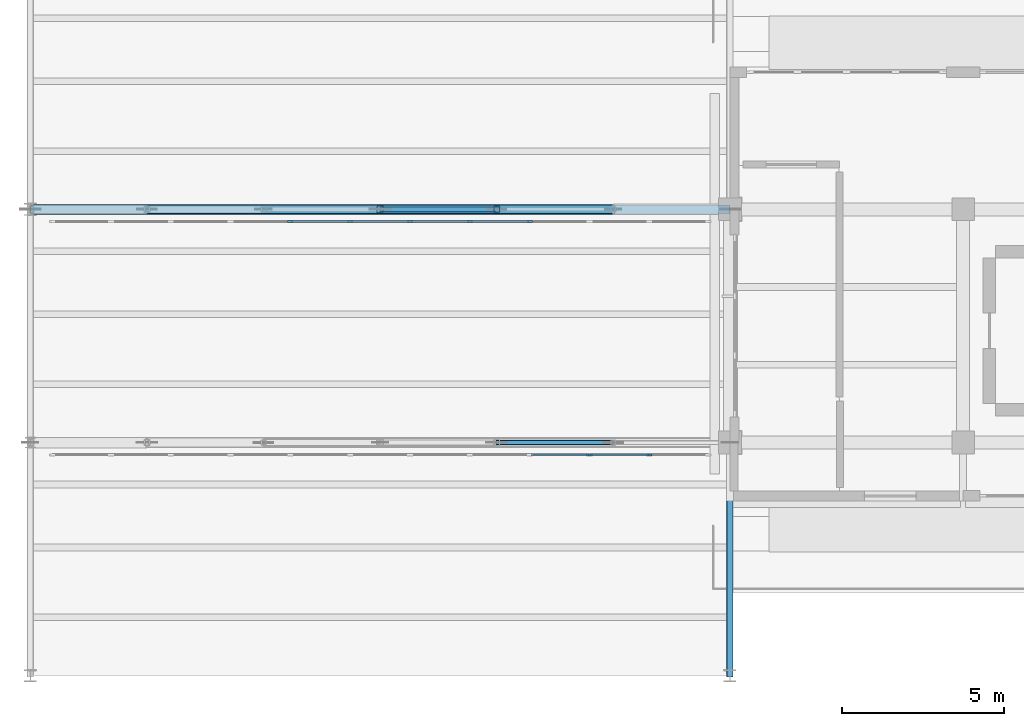
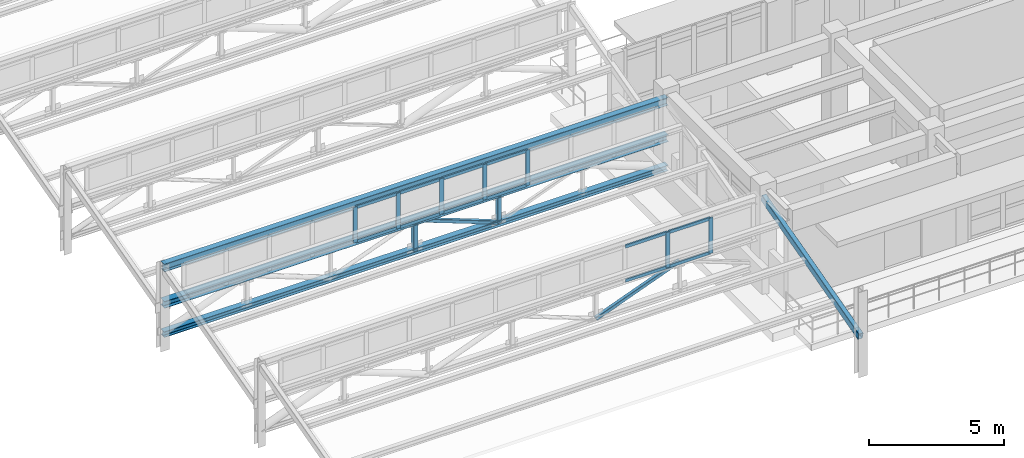
# One storey, part 6 of 55: 25 members, 2 beams, 2 elements without a shape of their own.
"""IFC4 building model written with IfcOpenShell, lengths in metres."""

from ifc_helpers import new_model, si_unit, direction, frame, origin, origin_2d, place, context, subcontext, project, spatial, rectangle, hollow_rectangle, i_section, extrude, material, layer, layer_set, material_profile, profile_set, type_object, element, aggregate, save


model = new_model("IFC4")

# Units and contexts
model_context = context("Model", 3, precision=1e-05, world=origin(), true_north=direction((0.0, 1.0)))
body_context = subcontext(model_context, "Body", "Model", "MODEL_VIEW")
ifc_project = project(units=[si_unit("LENGTHUNIT", "METRE"), si_unit("AREAUNIT", "SQUARE_METRE"), si_unit("VOLUMEUNIT", "CUBIC_METRE"), si_unit("PLANEANGLEUNIT", "RADIAN"), si_unit("MASSUNIT", "GRAM", prefix="KILO")], contexts=[model_context])

# Site, building, storey
site_placement = place(None, origin())
site = spatial("IfcSite", under=ifc_project, at=site_placement, CompositionType="ELEMENT")
building_placement = place(site_placement, origin())
building = spatial("IfcBuilding", under=site, at=building_placement, Name="Solenvale Faculty of Natural Sciences", CompositionType="ELEMENT")
storey_placement = place(building_placement, frame((0.0, 0.0, 22.5)))
storey = spatial("IfcBuildingStorey", under=building, at=storey_placement, Name="L05", CompositionType="ELEMENT", Elevation=22.5)

# Beams
ifc_material_1 = material(Name="Steel S355", Category="steel")
ifc_material_profile_1 = material_profile(ifc_material_1, hollow_rectangle(XDim=0.202880859375, YDim=0.304931640625, WallThickness=0.0126953125, InnerFilletRadius=0.0126953125, OuterFilletRadius=0.025390625, at=origin_2d()), Name="HSS305x203x13")
ifc_profile_set_1 = profile_set([ifc_material_profile_1], Name="Steel S355")
beam_type_1 = type_object("IfcBeamType", Name="BM-RAF-HSS305", PredefinedType="BEAM", material=ifc_profile_set_1)
beam_1_placement = place(storey_placement, frame((57.60009765625, 14.39990234375, 1.719970703125), z_axis=(0.0, 0.965904187204, 0.258899789768), x_axis=(-1.0, 0.0, 0.0)))
element("IfcBeam", 1, at=beam_1_placement, inside=storey, type_object=beam_type_1, Name="V3 Sawtooth End Rafter 1.1.E", PredefinedType="BEAM", context=body_context, shape_type="SweptSolid", body=[
    extrude(hollow_rectangle(XDim=0.202880859375, YDim=0.304931640625, WallThickness=0.0126953125, InnerFilletRadius=0.0126953125, OuterFilletRadius=0.025390625, at=origin_2d()), origin(), (0.0, 0.0, 1.0), 7.454345703125),
])
ifc_material_profile_2 = material_profile(ifc_material_1, i_section(OverallWidth=0.2548828125, OverallDepth=0.35693359375, WebThickness=0.010498046875, FlangeThickness=0.018310546875, FilletRadius=0.014892578125, at=origin_2d()), Name="W360x101")
ifc_profile_set_2 = profile_set([ifc_material_profile_2], Name="Steel S355")
beam_type_2 = type_object("IfcBeamType", Name="BM-STL-W360x101", PredefinedType="JOIST", material=ifc_profile_set_2)
beam_2_placement = place(storey_placement, frame((36.0, 28.800048828125, 3.705078125), z_axis=(1.0, 0.0, 0.0), x_axis=(0.0, 1.0, 0.0)))
element("IfcBeam", 2, at=beam_2_placement, inside=storey, type_object=beam_type_2, Name="V3 Sawtooth Clerestory Ridge Beam 2.1", PredefinedType="JOIST", context=body_context, shape_type="SweptSolid", body=[
    extrude(i_section(OverallWidth=0.2548828125, OverallDepth=0.35693359375, WebThickness=0.010498046875, FlangeThickness=0.018310546875, FilletRadius=0.014892578125, at=origin_2d()), origin(), (0.0, 0.0, 1.0), 21.60009765625),
])

# Curtain wall, members
ifc_material_2 = material(Name="Anodised bronze aluminium", Category="aluminium")
ifc_layer = layer(ifc_material_2, 0.1650390625)
ifc_layer_set = layer_set([ifc_layer], Name="Anodised bronze aluminium")
curtain_wall_type = type_object("IfcCurtainWallType", Name="CW-SAW-CLR", PredefinedType="USERDEFINED", material=ifc_layer_set)
curtain_wall_1_placement = place(storey_placement, origin())
curtain_wall_1 = element("IfcCurtainWall", 3, at=curtain_wall_1_placement, inside=storey, type_object=curtain_wall_type, Name="L05 Curtain Wall SAW-V3-CW-1-1", ObjectType="NORTH LIGHT CLERESTORY", PredefinedType="USERDEFINED")
ifc_material_profile_3 = material_profile(ifc_material_2, rectangle(XDim=0.06494140625, YDim=0.175048828125, at=origin_2d()), Name="ALU-MUL-65x175")
ifc_profile_set_3 = profile_set([ifc_material_profile_3], Name="Anodised bronze aluminium")
member_type_1 = type_object("IfcMemberType", Name="CWM-ALU-65x175", PredefinedType="MULLION", material=ifc_profile_set_3)
member_1_placement = place(storey_placement, frame((55.11279296875, 21.219970703125, 2.22998046875), z_axis=(0.0, 0.0, 1.0), x_axis=(0.0, -1.0, 0.0)))
member_1 = element("IfcMember", 4, at=member_1_placement, type_object=member_type_1, Name="CW-05 mullion 2", PredefinedType="MULLION", context=body_context, shape_type="SweptSolid", body=[
    extrude(rectangle(XDim=0.06494140625, YDim=0.175048828125, at=origin_2d()), origin(), (0.0, 0.0, 1.0), 1.610107421875),
])
member_2_placement = place(storey_placement, frame((53.265380859375, 21.219970703125, 2.22998046875), z_axis=(0.0, 0.0, 1.0), x_axis=(0.0, -1.0, 0.0)))
member_2 = element("IfcMember", 5, at=member_2_placement, type_object=member_type_1, Name="CW-05 mullion 3", PredefinedType="MULLION", context=body_context, shape_type="SweptSolid", body=[
    extrude(rectangle(XDim=0.06494140625, YDim=0.175048828125, at=origin_2d()), origin(), (0.0, 0.0, 1.0), 1.610107421875),
])

curtain_wall_2_placement = place(storey_placement, origin())
curtain_wall_2 = element("IfcCurtainWall", 6, at=curtain_wall_2_placement, inside=storey, type_object=curtain_wall_type, Name="L05 Curtain Wall SAW-V3-CW-2-1", ObjectType="NORTH LIGHT CLERESTORY", PredefinedType="USERDEFINED")
member_3_placement = place(storey_placement, frame((51.418212890625, 28.419921875, 2.22998046875), z_axis=(0.0, 0.0, 1.0), x_axis=(0.0, -1.0, 0.0)))
member_3 = element("IfcMember", 7, at=member_3_placement, type_object=member_type_1, Name="CW-05 mullion 4", PredefinedType="MULLION", context=body_context, shape_type="SweptSolid", body=[
    extrude(rectangle(XDim=0.06494140625, YDim=0.175048828125, at=origin_2d()), origin(), (0.0, 0.0, 1.0), 1.610107421875),
])
member_4_placement = place(storey_placement, frame((49.57080078125, 28.419921875, 2.22998046875), z_axis=(0.0, 0.0, 1.0), x_axis=(0.0, -1.0, 0.0)))
member_4 = element("IfcMember", 8, at=member_4_placement, type_object=member_type_1, Name="CW-05 mullion 5", PredefinedType="MULLION", context=body_context, shape_type="SweptSolid", body=[
    extrude(rectangle(XDim=0.06494140625, YDim=0.175048828125, at=origin_2d()), origin(), (0.0, 0.0, 1.0), 1.610107421875),
])
member_5_placement = place(storey_placement, frame((47.7236328125, 28.419921875, 2.22998046875), z_axis=(0.0, 0.0, 1.0), x_axis=(0.0, -1.0, 0.0)))
member_5 = element("IfcMember", 9, at=member_5_placement, type_object=member_type_1, Name="CW-05 mullion 6", PredefinedType="MULLION", context=body_context, shape_type="SweptSolid", body=[
    extrude(rectangle(XDim=0.06494140625, YDim=0.175048828125, at=origin_2d()), origin(), (0.0, 0.0, 1.0), 1.610107421875),
])
member_6_placement = place(storey_placement, frame((45.87646484375, 28.419921875, 2.22998046875), z_axis=(0.0, 0.0, 1.0), x_axis=(0.0, -1.0, 0.0)))
member_6 = element("IfcMember", 10, at=member_6_placement, type_object=member_type_1, Name="CW-05 mullion 7", PredefinedType="MULLION", context=body_context, shape_type="SweptSolid", body=[
    extrude(rectangle(XDim=0.06494140625, YDim=0.175048828125, at=origin_2d()), origin(), (0.0, 0.0, 1.0), 1.610107421875),
])
member_7_placement = place(storey_placement, frame((44.029052734375, 28.419921875, 2.22998046875), z_axis=(0.0, 0.0, 1.0), x_axis=(0.0, -1.0, 0.0)))
member_7 = element("IfcMember", 11, at=member_7_placement, type_object=member_type_1, Name="CW-05 mullion 8", PredefinedType="MULLION", context=body_context, shape_type="SweptSolid", body=[
    extrude(rectangle(XDim=0.06494140625, YDim=0.175048828125, at=origin_2d()), origin(), (0.0, 0.0, 1.0), 1.610107421875),
])

# Member
ifc_material_profile_4 = material_profile(ifc_material_2, rectangle(XDim=0.06494140625, YDim=0.135009765625, at=origin_2d()), Name="ALU-TRN-65x135")
ifc_profile_set_4 = profile_set([ifc_material_profile_4], Name="Anodised bronze aluminium")
member_type_2 = type_object("IfcMemberType", Name="CWT-ALU-65x135", PredefinedType="USERDEFINED", material=ifc_profile_set_4)
member_8_placement = place(storey_placement, frame((55.080322265625, 21.219970703125, 2.262451171875), z_axis=(-1.0, 0.0, 0.0), x_axis=(0.0, -1.0, 0.0)))
member_8 = element("IfcMember", 12, at=member_8_placement, type_object=member_type_2, Name="CW-05 transom 2.1", ObjectType="TRANSOM", PredefinedType="USERDEFINED", context=body_context, shape_type="SweptSolid", body=[
    extrude(rectangle(XDim=0.06494140625, YDim=0.135009765625, at=origin_2d()), origin(), (0.0, 0.0, 1.0), 1.782470703125),
])

member_9_placement = place(storey_placement, frame((55.080322265625, 21.219970703125, 3.8076171875), z_axis=(-1.0, 0.0, 0.0), x_axis=(0.0, -1.0, 0.0)))
member_9 = element("IfcMember", 13, at=member_9_placement, type_object=member_type_2, Name="CW-05 transom 2.2", ObjectType="TRANSOM", PredefinedType="USERDEFINED", context=body_context, shape_type="SweptSolid", body=[
    extrude(rectangle(XDim=0.06494140625, YDim=0.135009765625, at=origin_2d()), origin(), (0.0, 0.0, 1.0), 1.782470703125),
])

member_10_placement = place(storey_placement, frame((53.23291015625, 21.219970703125, 2.262451171875), z_axis=(-1.0, 0.0, 0.0), x_axis=(0.0, -1.0, 0.0)))
member_10 = element("IfcMember", 14, at=member_10_placement, type_object=member_type_2, Name="CW-05 transom 3.1", ObjectType="TRANSOM", PredefinedType="USERDEFINED", context=body_context, shape_type="SweptSolid", body=[
    extrude(rectangle(XDim=0.06494140625, YDim=0.135009765625, at=origin_2d()), origin(), (0.0, 0.0, 1.0), 1.7822265625),
])

member_11_placement = place(storey_placement, frame((53.23291015625, 21.219970703125, 3.8076171875), z_axis=(-1.0, 0.0, 0.0), x_axis=(0.0, -1.0, 0.0)))
member_11 = element("IfcMember", 15, at=member_11_placement, type_object=member_type_2, Name="CW-05 transom 3.2", ObjectType="TRANSOM", PredefinedType="USERDEFINED", context=body_context, shape_type="SweptSolid", body=[
    extrude(rectangle(XDim=0.06494140625, YDim=0.135009765625, at=origin_2d()), origin(), (0.0, 0.0, 1.0), 1.7822265625),
])

aggregate(curtain_wall_1, [member_1, member_2, member_8, member_9, member_10, member_11])

member_12_placement = place(storey_placement, frame((51.3857421875, 28.419921875, 2.262451171875), z_axis=(-1.0, 0.0, 0.0), x_axis=(0.0, -1.0, 0.0)))
member_12 = element("IfcMember", 16, at=member_12_placement, type_object=member_type_2, Name="CW-05 transom 4.1", ObjectType="TRANSOM", PredefinedType="USERDEFINED", context=body_context, shape_type="SweptSolid", body=[
    extrude(rectangle(XDim=0.06494140625, YDim=0.135009765625, at=origin_2d()), origin(), (0.0, 0.0, 1.0), 1.7822265625),
])

member_13_placement = place(storey_placement, frame((51.3857421875, 28.419921875, 3.8076171875), z_axis=(-1.0, 0.0, 0.0), x_axis=(0.0, -1.0, 0.0)))
member_13 = element("IfcMember", 17, at=member_13_placement, type_object=member_type_2, Name="CW-05 transom 4.2", ObjectType="TRANSOM", PredefinedType="USERDEFINED", context=body_context, shape_type="SweptSolid", body=[
    extrude(rectangle(XDim=0.06494140625, YDim=0.135009765625, at=origin_2d()), origin(), (0.0, 0.0, 1.0), 1.7822265625),
])

member_14_placement = place(storey_placement, frame((49.538330078125, 28.419921875, 2.262451171875), z_axis=(-1.0, 0.0, 0.0), x_axis=(0.0, -1.0, 0.0)))
member_14 = element("IfcMember", 18, at=member_14_placement, type_object=member_type_2, Name="CW-05 transom 5.1", ObjectType="TRANSOM", PredefinedType="USERDEFINED", context=body_context, shape_type="SweptSolid", body=[
    extrude(rectangle(XDim=0.06494140625, YDim=0.135009765625, at=origin_2d()), origin(), (0.0, 0.0, 1.0), 1.7822265625),
])

member_15_placement = place(storey_placement, frame((49.538330078125, 28.419921875, 3.8076171875), z_axis=(-1.0, 0.0, 0.0), x_axis=(0.0, -1.0, 0.0)))
member_15 = element("IfcMember", 19, at=member_15_placement, type_object=member_type_2, Name="CW-05 transom 5.2", ObjectType="TRANSOM", PredefinedType="USERDEFINED", context=body_context, shape_type="SweptSolid", body=[
    extrude(rectangle(XDim=0.06494140625, YDim=0.135009765625, at=origin_2d()), origin(), (0.0, 0.0, 1.0), 1.7822265625),
])

member_16_placement = place(storey_placement, frame((47.691162109375, 28.419921875, 2.262451171875), z_axis=(-1.0, 0.0, 0.0), x_axis=(0.0, -1.0, 0.0)))
member_16 = element("IfcMember", 20, at=member_16_placement, type_object=member_type_2, Name="CW-05 transom 6.1", ObjectType="TRANSOM", PredefinedType="USERDEFINED", context=body_context, shape_type="SweptSolid", body=[
    extrude(rectangle(XDim=0.06494140625, YDim=0.135009765625, at=origin_2d()), origin(), (0.0, 0.0, 1.0), 1.7822265625),
])

member_17_placement = place(storey_placement, frame((47.691162109375, 28.419921875, 3.8076171875), z_axis=(-1.0, 0.0, 0.0), x_axis=(0.0, -1.0, 0.0)))
member_17 = element("IfcMember", 21, at=member_17_placement, type_object=member_type_2, Name="CW-05 transom 6.2", ObjectType="TRANSOM", PredefinedType="USERDEFINED", context=body_context, shape_type="SweptSolid", body=[
    extrude(rectangle(XDim=0.06494140625, YDim=0.135009765625, at=origin_2d()), origin(), (0.0, 0.0, 1.0), 1.7822265625),
])

member_18_placement = place(storey_placement, frame((45.84375, 28.419921875, 2.262451171875), z_axis=(-1.0, 0.0, 0.0), x_axis=(0.0, -1.0, 0.0)))
member_18 = element("IfcMember", 22, at=member_18_placement, type_object=member_type_2, Name="CW-05 transom 7.1", ObjectType="TRANSOM", PredefinedType="USERDEFINED", context=body_context, shape_type="SweptSolid", body=[
    extrude(rectangle(XDim=0.06494140625, YDim=0.135009765625, at=origin_2d()), origin(), (0.0, 0.0, 1.0), 1.7822265625),
])

member_19_placement = place(storey_placement, frame((45.84375, 28.419921875, 3.8076171875), z_axis=(-1.0, 0.0, 0.0), x_axis=(0.0, -1.0, 0.0)))
member_19 = element("IfcMember", 23, at=member_19_placement, type_object=member_type_2, Name="CW-05 transom 7.2", ObjectType="TRANSOM", PredefinedType="USERDEFINED", context=body_context, shape_type="SweptSolid", body=[
    extrude(rectangle(XDim=0.06494140625, YDim=0.135009765625, at=origin_2d()), origin(), (0.0, 0.0, 1.0), 1.7822265625),
])

aggregate(curtain_wall_2, [member_3, member_4, member_5, member_6, member_7, member_12, member_13, member_14, member_15, member_16, member_17, member_18, member_19])

# Members
ifc_material_profile_5 = material_profile(ifc_material_1, hollow_rectangle(XDim=0.152099609375, YDim=0.152099609375, WallThickness=0.009521484375, InnerFilletRadius=0.009521484375, OuterFilletRadius=0.01904296875, at=origin_2d()), Name="HSS152x152x9.5")
ifc_profile_set_5 = profile_set([ifc_material_profile_5], Name="Steel S355")
member_type_3 = type_object("IfcMemberType", Name="MB-BRC-HSS152", PredefinedType="BRACE", material=ifc_profile_set_5)
member_20_placement = place(storey_placement, frame((50.39990234375, 21.60009765625, 0.68994140625), z_axis=(0.935466034784, 0.0, 0.353416606522), x_axis=(0.0, 1.0, 0.0)))
element("IfcMember", 24, at=member_20_placement, inside=storey, type_object=member_type_3, Name="V3 Truss 1.1 Diagonal 5", PredefinedType="BRACE", context=body_context, shape_type="SweptSolid", body=[
    extrude(hollow_rectangle(XDim=0.152099609375, YDim=0.152099609375, WallThickness=0.009521484375, InnerFilletRadius=0.009521484375, OuterFilletRadius=0.01904296875, at=origin_2d()), origin(), (0.0, 0.0, 1.0), 3.848388671875),
])
member_21_placement = place(storey_placement, frame((46.800048828125, 28.800048828125, 2.050048828125), z_axis=(0.935458110384, 0.0, -0.353437581075), x_axis=(0.0, 1.0, 0.0)))
element("IfcMember", 25, at=member_21_placement, inside=storey, type_object=member_type_3, Name="V3 Truss 2.1 Diagonal 4", PredefinedType="BRACE", context=body_context, shape_type="SweptSolid", body=[
    extrude(hollow_rectangle(XDim=0.152099609375, YDim=0.152099609375, WallThickness=0.009521484375, InnerFilletRadius=0.009521484375, OuterFilletRadius=0.01904296875, at=origin_2d()), origin(), (0.0, 0.0, 1.0), 3.84814453125),
])
ifc_material_profile_6 = material_profile(ifc_material_1, i_section(OverallWidth=0.256103515625, OverallDepth=0.260009765625, WebThickness=0.0107421875, FlangeThickness=0.017333984375, FilletRadius=0.012939453125, at=origin_2d()), Name="W250x89")
ifc_profile_set_6 = profile_set([ifc_material_profile_6], Name="Steel S355")
member_type_4 = type_object("IfcMemberType", Name="MB-CHD-W250x89", PredefinedType="CHORD", material=ifc_profile_set_6)
member_22_placement = place(storey_placement, frame((36.0, 28.800048828125, 0.68994140625), z_axis=(1.0, 0.0, 0.0), x_axis=(0.0, 1.0, 0.0)))
element("IfcMember", 26, at=member_22_placement, inside=storey, type_object=member_type_4, Name="V3 Truss 2.1 Bottom Chord", PredefinedType="CHORD", context=body_context, shape_type="SweptSolid", body=[
    extrude(i_section(OverallWidth=0.256103515625, OverallDepth=0.260009765625, WebThickness=0.0107421875, FlangeThickness=0.017333984375, FilletRadius=0.012939453125, at=origin_2d()), origin(), (0.0, 0.0, 1.0), 21.60009765625),
])
ifc_material_profile_7 = material_profile(ifc_material_1, i_section(OverallWidth=0.304931640625, OverallDepth=0.30810546875, WebThickness=0.010009765625, FlangeThickness=0.015380859375, FilletRadius=0.014892578125, at=origin_2d()), Name="W310x97")
ifc_profile_set_7 = profile_set([ifc_material_profile_7], Name="Steel S355")
member_type_5 = type_object("IfcMemberType", Name="MB-CHD-W310x97", PredefinedType="CHORD", material=ifc_profile_set_7)
member_23_placement = place(storey_placement, frame((36.0, 28.800048828125, 2.050048828125), z_axis=(1.0, 0.0, 0.0), x_axis=(0.0, 1.0, 0.0)))
element("IfcMember", 27, at=member_23_placement, inside=storey, type_object=member_type_5, Name="V3 Truss 2.1 Top Chord", PredefinedType="CHORD", context=body_context, shape_type="SweptSolid", body=[
    extrude(i_section(OverallWidth=0.304931640625, OverallDepth=0.30810546875, WebThickness=0.010009765625, FlangeThickness=0.015380859375, FilletRadius=0.014892578125, at=origin_2d()), origin(), (0.0, 0.0, 1.0), 21.60009765625),
])
ifc_material_profile_8 = material_profile(ifc_material_1, hollow_rectangle(XDim=0.177978515625, YDim=0.177978515625, WallThickness=0.009521484375, InnerFilletRadius=0.009521484375, OuterFilletRadius=0.01904296875, at=origin_2d()), Name="HSS178x178x9.5")
ifc_profile_set_8 = profile_set([ifc_material_profile_8], Name="Steel S355")
member_type_6 = type_object("IfcMemberType", Name="MB-STR-HSS178", PredefinedType="STRUT", material=ifc_profile_set_8)
member_24_placement = place(storey_placement, frame((50.39990234375, 28.800048828125, 0.68994140625), z_axis=(0.0, 0.0, 1.0), x_axis=(1.0, 0.0, 0.0)))
element("IfcMember", 28, at=member_24_placement, inside=storey, type_object=member_type_6, Name="V3 Truss 2.1 Strut 4", PredefinedType="STRUT", context=body_context, shape_type="SweptSolid", body=[
    extrude(hollow_rectangle(XDim=0.177978515625, YDim=0.177978515625, WallThickness=0.009521484375, InnerFilletRadius=0.009521484375, OuterFilletRadius=0.01904296875, at=origin_2d()), origin(), (0.0, 0.0, 1.0), 1.360107421875),
])
ifc_material_profile_9 = material_profile(ifc_material_1, hollow_rectangle(XDim=0.202880859375, YDim=0.202880859375, WallThickness=0.0126953125, InnerFilletRadius=0.0126953125, OuterFilletRadius=0.025390625, at=origin_2d()), Name="HSS203x203x13")
ifc_profile_set_9 = profile_set([ifc_material_profile_9], Name="Steel S355")
member_type_7 = type_object("IfcMemberType", Name="MB-STR-HSS203", PredefinedType="STRUT", material=ifc_profile_set_9)
member_25_placement = place(storey_placement, frame((46.800048828125, 28.800048828125, 0.68994140625), z_axis=(0.0, 0.0, 1.0), x_axis=(1.0, 0.0, 0.0)))
element("IfcMember", 29, at=member_25_placement, inside=storey, type_object=member_type_7, Name="V3 Truss 2.1 Strut 3", PredefinedType="STRUT", context=body_context, shape_type="SweptSolid", body=[
    extrude(hollow_rectangle(XDim=0.202880859375, YDim=0.202880859375, WallThickness=0.0126953125, InnerFilletRadius=0.0126953125, OuterFilletRadius=0.025390625, at=origin_2d()), origin(), (0.0, 0.0, 1.0), 1.360107421875),
])

save(model, "model.ifc")
